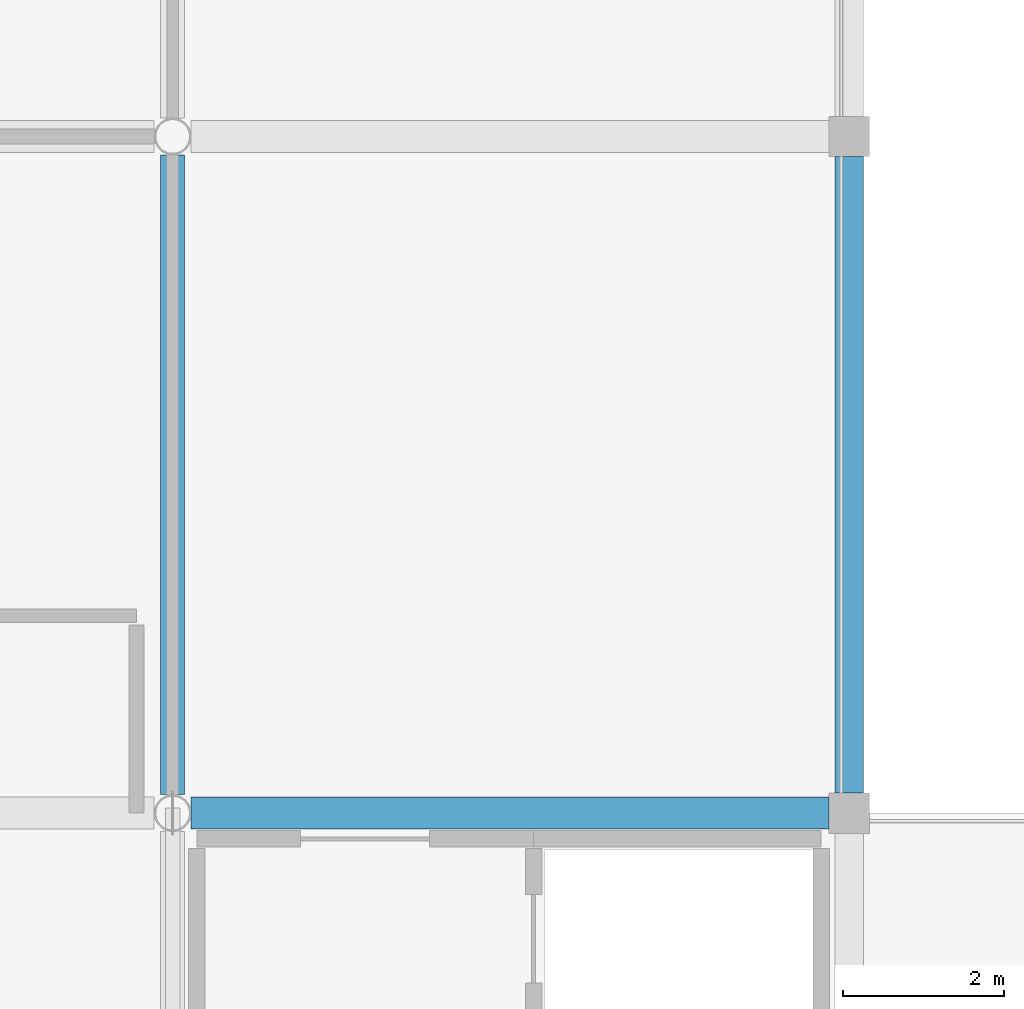
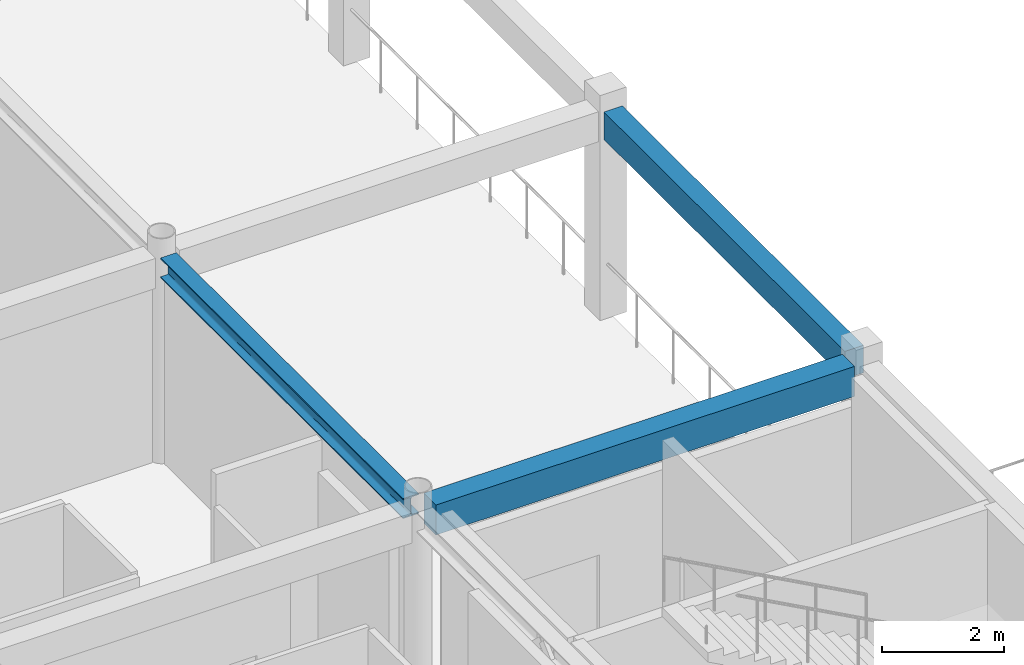
# One storey, part 17 of 144: 3 beams.
"""IFC4 building model written with IfcOpenShell, lengths in metres."""

from ifc_helpers import new_model, si_unit, direction, frame, origin, origin_2d, place, context, subcontext, project, spatial, rectangle, i_section, extrude, material, material_profile, profile_set, type_object, element, save


model = new_model("IFC4")

# Units and contexts
model_context = context("Model", 3, precision=1e-05, world=origin(), true_north=direction((0.0, 1.0)))
body_context = subcontext(model_context, "Body", "Model", "MODEL_VIEW")
ifc_project = project(units=[si_unit("LENGTHUNIT", "METRE"), si_unit("AREAUNIT", "SQUARE_METRE"), si_unit("VOLUMEUNIT", "CUBIC_METRE"), si_unit("PLANEANGLEUNIT", "RADIAN"), si_unit("MASSUNIT", "GRAM", prefix="KILO")], contexts=[model_context])

# Site, building, storey
site_placement = place(None, origin())
site = spatial("IfcSite", under=ifc_project, at=site_placement, CompositionType="ELEMENT")
building_placement = place(site_placement, origin())
building = spatial("IfcBuilding", under=site, at=building_placement, Name="Bramfleet General Hospital", CompositionType="ELEMENT")
storey_placement = place(building_placement, frame((0.0, 0.0, 4.800048828125)))
storey = spatial("IfcBuildingStorey", under=building, at=storey_placement, Name="L01", CompositionType="ELEMENT", Elevation=4.800048828125)

# Beams
ifc_material_1 = material(Name="Steel S355", Category="steel")
ifc_material_profile_1 = material_profile(ifc_material_1, i_section(OverallWidth=0.300048828125, OverallDepth=0.39990234375, WebThickness=0.013427734375, FlangeThickness=0.02392578125, FilletRadius=0.027099609375, at=origin_2d()), Name="HEB 400")
ifc_profile_set_1 = profile_set([ifc_material_profile_1], Name="Steel S355")
beam_type_1 = type_object("IfcBeamType", Name="BM-HEB400", PredefinedType="BEAM", material=ifc_profile_set_1)
beam_1_placement = place(storey_placement, frame((50.39990234375, 25.428466796875, 3.949951171875), z_axis=(0.0, 1.0, 0.0), x_axis=(-1.0, 0.0, 0.0)))
element("IfcBeam", 1, at=beam_1_placement, inside=storey, type_object=beam_type_1, Name="L01 Grid Beam Y 06-03", PredefinedType="BEAM", context=body_context, shape_type="SweptSolid", body=[
    extrude(i_section(OverallWidth=0.300048828125, OverallDepth=0.39990234375, WebThickness=0.013427734375, FlangeThickness=0.02392578125, FilletRadius=0.027099609375, at=origin_2d()), origin(), (0.0, 0.0, 1.0), 7.943115234375),
])
ifc_material_2 = material(Name="Concrete C35/45", Category="concrete")
ifc_material_profile_2 = material_profile(ifc_material_2, rectangle(XDim=0.35009765625, YDim=0.550048828125, at=origin_2d()), Name="RC BM 550x350")
ifc_profile_set_2 = profile_set([ifc_material_profile_2], Name="Concrete C35/45")
beam_type_2 = type_object("IfcBeamType", Name="BM-RC550", PredefinedType="BEAM", material=ifc_profile_set_2)
beam_2_placement = place(storey_placement, frame((58.800048828125, 25.449951171875, 3.875), z_axis=(0.0, 1.0, 0.0), x_axis=(-1.0, 0.0, 0.0)))
element("IfcBeam", 2, at=beam_2_placement, inside=storey, type_object=beam_type_2, Name="L01 Grid Beam Y 07-03", PredefinedType="BEAM", context=body_context, shape_type="SweptSolid", body=[
    extrude(rectangle(XDim=0.35009765625, YDim=0.550048828125, at=origin_2d()), origin(), (0.0, 0.0, 1.0), 7.900146484375),
])
ifc_material_profile_3 = material_profile(ifc_material_2, rectangle(XDim=0.39990234375, YDim=0.60009765625, at=origin_2d()), Name="RC BM 600x400")
ifc_profile_set_3 = profile_set([ifc_material_profile_3], Name="Concrete C35/45")
beam_type_3 = type_object("IfcBeamType", Name="BM-RC600", PredefinedType="BEAM", material=ifc_profile_set_3)
beam_3_placement = place(storey_placement, frame((50.62841796875, 25.199951171875, 3.849853515625), z_axis=(1.0, 0.0, 0.0), x_axis=(0.0, 1.0, 0.0)))
element("IfcBeam", 3, at=beam_3_placement, inside=storey, type_object=beam_type_3, Name="L01 Grid Beam X 06-03", PredefinedType="BEAM", context=body_context, shape_type="SweptSolid", body=[
    extrude(rectangle(XDim=0.39990234375, YDim=0.60009765625, at=origin_2d()), origin(), (0.0, 0.0, 1.0), 7.921630859375),
])

save(model, "model.ifc")
